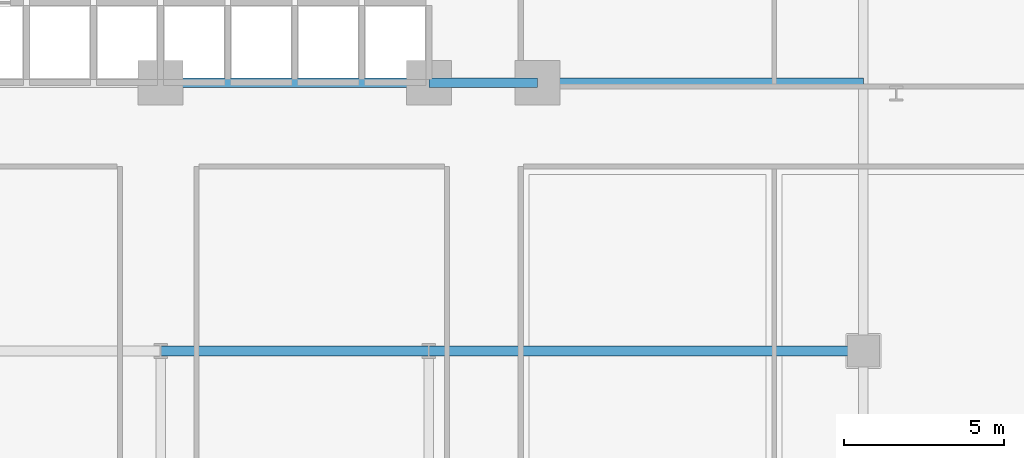
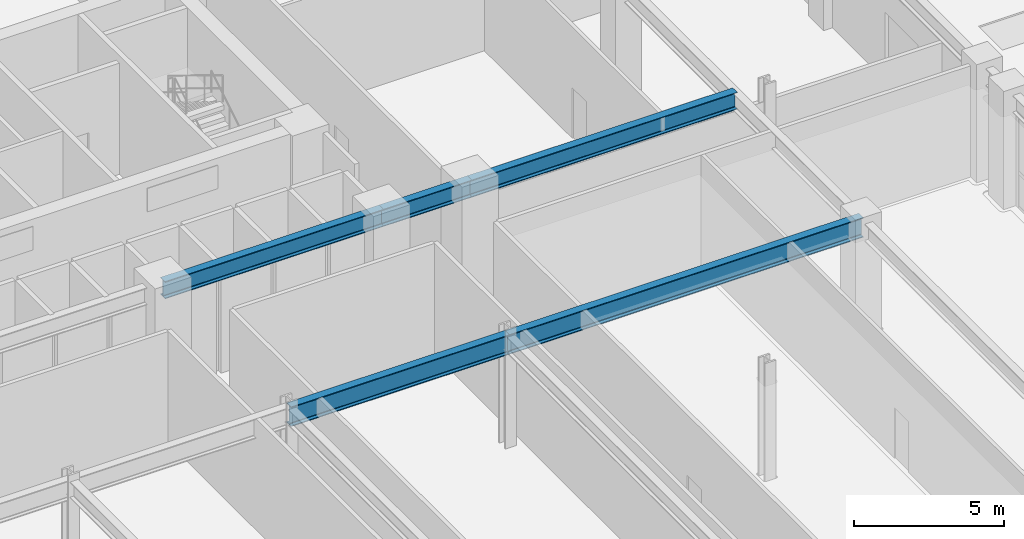
# One storey, part 6 of 34: 5 beams.
"""IFC4 building model written with IfcOpenShell, lengths in metres."""

from ifc_helpers import new_model, si_unit, derived_unit, direction, frame, origin, origin_2d, place, context, subcontext, project, spatial, i_section, extrude, source, transform, mapped, material, material_profile, profile_set, type_object, element, save


model = new_model("IFC4")

# Units and contexts
model_context = context("Model", 3, precision=1e-05, world=origin(), true_north=direction((0.0, 1.0)))
body_context = subcontext(model_context, "Body", "Model", "MODEL_VIEW")
ifc_project = project(units=[si_unit("LENGTHUNIT", "METRE"), si_unit("AREAUNIT", "SQUARE_METRE"), si_unit("VOLUMEUNIT", "CUBIC_METRE"), si_unit("PLANEANGLEUNIT", "RADIAN"), si_unit("MASSUNIT", "GRAM", prefix="KILO"), derived_unit("THERMALTRANSMITTANCEUNIT", [(si_unit("POWERUNIT", "WATT"), 1), (si_unit("LENGTHUNIT", "METRE"), -2), (si_unit("THERMODYNAMICTEMPERATUREUNIT", "KELVIN"), -1)])], contexts=[model_context])

# Site, building, storey
site_placement = place(None, origin())
site = spatial("IfcSite", under=ifc_project, at=site_placement, CompositionType="ELEMENT")
building_placement = place(site_placement, origin())
building = spatial("IfcBuilding", under=site, at=building_placement, Name="Korsvarv Bourse and Concert Hall", CompositionType="ELEMENT")
storey_placement = place(building_placement, frame((0.0, 0.0, 14.39990234375)))
storey = spatial("IfcBuildingStorey", under=building, at=storey_placement, Name="L03", CompositionType="ELEMENT", Elevation=14.39990234375)

# Beams
ifc_material_1 = material(Name="Steel S355", Category="steel")
ifc_material_profile_1 = material_profile(ifc_material_1, i_section(OverallWidth=0.300048828125, OverallDepth=0.699951171875, WebThickness=0.01708984375, FlangeThickness=0.031982421875, FilletRadius=0.027099609375, at=origin_2d()), Name="HEB 700")
ifc_profile_set_1 = profile_set([ifc_material_profile_1], Name="Steel S355")
beam_type_1 = type_object("IfcBeamType", Name="BM-HEB700", PredefinedType="BEAM", material=ifc_profile_set_1)
shared_shape_1 = source(origin(), body_context, "Body", "SweptSolid", [
    extrude(i_section(OverallWidth=0.300048828125, OverallDepth=0.699951171875, WebThickness=0.01708984375, FlangeThickness=0.031982421875, FilletRadius=0.027099609375, at=origin_2d()), origin(), (0.0, 0.0, 1.0), 8.39990234375),
])
beam_1_placement = place(storey_placement, frame((36.0, 32.39990234375, 4.170166015625), z_axis=(1.0, 0.0, 0.0), x_axis=(0.0, 1.0, 0.0)))
element("IfcBeam", 1, at=beam_1_placement, inside=storey, type_object=beam_type_1, Name="L03 beam B-03", PredefinedType="BEAM", context=body_context, shape_type="MappedRepresentation", body=[
    mapped(shared_shape_1, transform((0.0, 0.0, 0.0), scale=1.0)),
])
shared_shape_2 = source(origin(), body_context, "Body", "SweptSolid", [
    extrude(i_section(OverallWidth=0.300048828125, OverallDepth=0.699951171875, WebThickness=0.01708984375, FlangeThickness=0.031982421875, FilletRadius=0.027099609375, at=origin_2d()), origin(), (0.0, 0.0, 1.0), 10.199951171875),
])
beam_2_placement = place(storey_placement, frame((47.800048828125, 32.39990234375, 4.170166015625), z_axis=(1.0, 0.0, 0.0), x_axis=(0.0, 1.0, 0.0)))
element("IfcBeam", 2, at=beam_2_placement, inside=storey, type_object=beam_type_1, Name="L03 beam B-03", PredefinedType="BEAM", context=body_context, shape_type="MappedRepresentation", body=[
    mapped(shared_shape_2, transform((0.0, 0.0, 0.0), scale=1.0)),
])
shared_shape_3 = source(origin(), body_context, "Body", "SweptSolid", [
    extrude(i_section(OverallWidth=0.300048828125, OverallDepth=0.699951171875, WebThickness=0.01708984375, FlangeThickness=0.031982421875, FilletRadius=0.027099609375, at=origin_2d()), origin(), (0.0, 0.0, 1.0), 3.400146484375),
])
beam_3_placement = place(storey_placement, frame((44.39990234375, 32.39990234375, 4.170166015625), z_axis=(1.0, 0.0, 0.0), x_axis=(0.0, 1.0, 0.0)))
element("IfcBeam", 3, at=beam_3_placement, inside=storey, type_object=beam_type_1, Name="L03 beam B-03", PredefinedType="BEAM", context=body_context, shape_type="MappedRepresentation", body=[
    mapped(shared_shape_3, transform((0.0, 0.0, 0.0), scale=1.0)),
])
ifc_material_2 = material(Name="Steel S460", Category="steel")
ifc_material_profile_2 = material_profile(ifc_material_2, i_section(OverallWidth=0.300048828125, OverallDepth=0.800048828125, WebThickness=0.017578125, FlangeThickness=0.032958984375, FilletRadius=0.027099609375, at=origin_2d()), Name="HEB 800")
ifc_profile_set_2 = profile_set([ifc_material_profile_2], Name="Steel S460")
beam_type_2 = type_object("IfcBeamType", Name="BM-HEB800", PredefinedType="BEAM", material=ifc_profile_set_2)
shared_shape_4 = source(origin(), body_context, "Body", "SweptSolid", [
    extrude(i_section(OverallWidth=0.300048828125, OverallDepth=0.800048828125, WebThickness=0.017578125, FlangeThickness=0.032958984375, FilletRadius=0.027099609375, at=origin_2d()), origin(), (0.0, 0.0, 1.0), 13.60009765625),
])
beam_4_placement = place(storey_placement, frame((44.39990234375, 24.0, 4.1201171875), z_axis=(1.0, 0.0, 0.0), x_axis=(0.0, 1.0, 0.0)))
element("IfcBeam", 4, at=beam_4_placement, inside=storey, type_object=beam_type_2, Name="L03 beam B-02", PredefinedType="BEAM", context=body_context, shape_type="MappedRepresentation", body=[
    mapped(shared_shape_4, transform((0.0, 0.0, 0.0), scale=1.0)),
])
shared_shape_5 = source(origin(), body_context, "Body", "SweptSolid", [
    extrude(i_section(OverallWidth=0.300048828125, OverallDepth=0.800048828125, WebThickness=0.017578125, FlangeThickness=0.032958984375, FilletRadius=0.027099609375, at=origin_2d()), origin(), (0.0, 0.0, 1.0), 8.39990234375),
])
beam_5_placement = place(storey_placement, frame((36.0, 24.0, 4.1201171875), z_axis=(1.0, 0.0, 0.0), x_axis=(0.0, 1.0, 0.0)))
element("IfcBeam", 5, at=beam_5_placement, inside=storey, type_object=beam_type_2, Name="L03 beam B-02", PredefinedType="BEAM", context=body_context, shape_type="MappedRepresentation", body=[
    mapped(shared_shape_5, transform((0.0, 0.0, 0.0), scale=1.0)),
])

save(model, "model.ifc")
